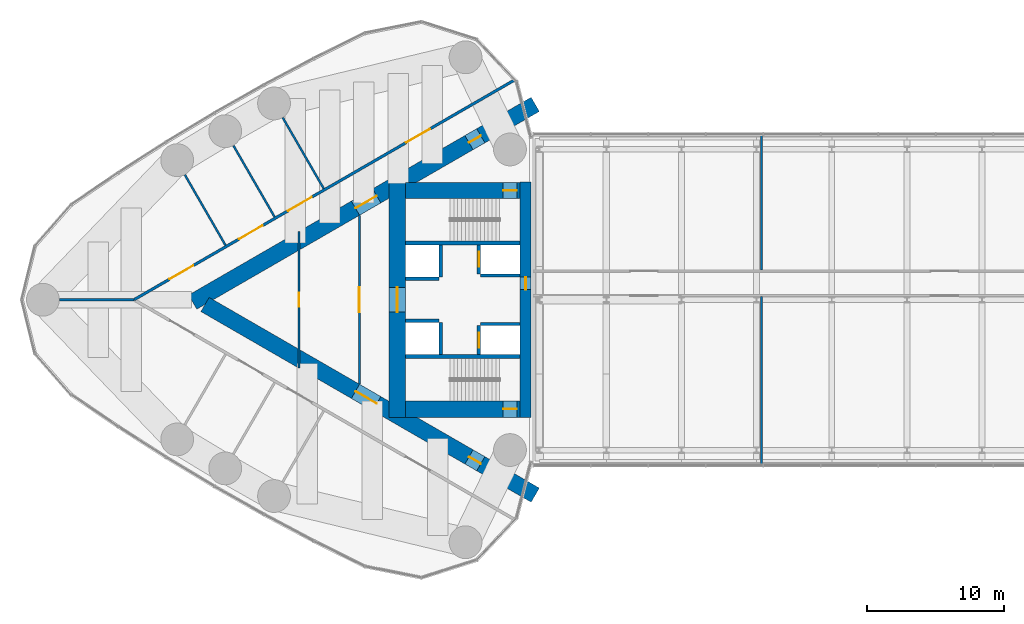
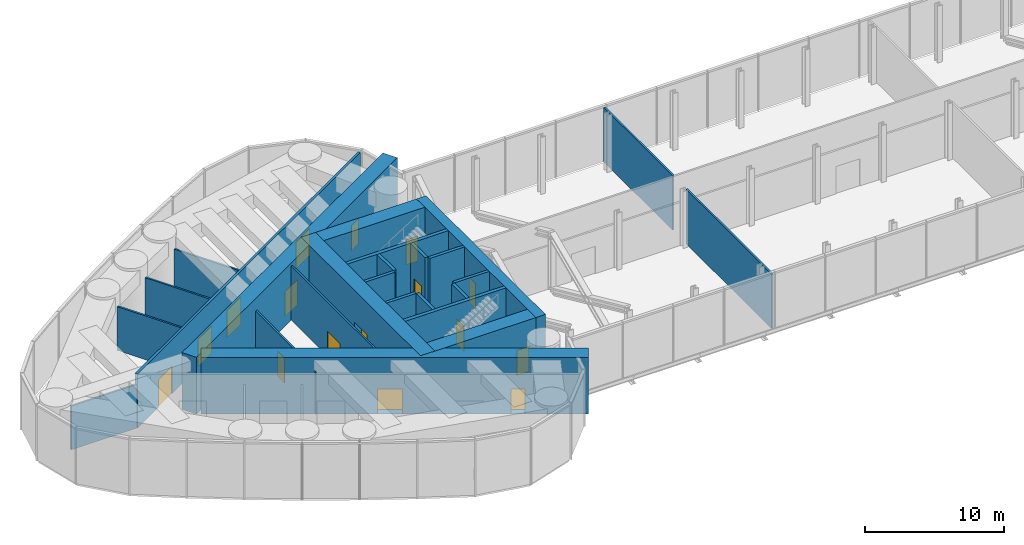
# One storey, part 15 of 19: 25 walls, 16 doors, 16 openings.
"""IFC4 building model written with IfcOpenShell, lengths in metres."""

import ifcopenshell
import ifcopenshell.guid

model = None  # the IFC model being written
_history = None  # IfcOwnerHistory: only IFC2X3 demands one
_inside = {}  # id of a spatial element -> (the spatial element, [elements in it])
_under = {}  # id of a project, library or spatial element -> (it, [spatial elements below it])
_declared = {}  # id of a project -> (the project, [libraries it declares])
_typed = {}  # id of a type object -> (the type object, [elements of that type])
_made_of = {}  # id of a material, layer set ... -> (it, [elements and type objects made of it])


def new_model(schema):
    """Start an empty IFC model of exactly this schema.

    Asked for "IFC4X3", IfcOpenShell would pick the latest addendum, in which some entities
    have other attributes; the version numbers below select the first issue.
    IFC2X3 requires an IfcOwnerHistory on every rooted entity: one is made here for all.
    """
    global model, _history
    if schema == "IFC4X3":
        model = ifcopenshell.file(schema_version=(4, 3, 0, 0))
    else:
        model = ifcopenshell.file(schema=schema)
    _inside.clear()
    _under.clear()
    _declared.clear()
    _typed.clear()
    _made_of.clear()
    _history = None
    if model.schema == "IFC2X3":
        org = make("IfcOrganization", Name="unknown")
        user = make(
            "IfcPersonAndOrganization",
            ThePerson=make("IfcPerson", FamilyName="unknown"),
            TheOrganization=org,
        )
        app = make(
            "IfcApplication",
            ApplicationDeveloper=org,
            Version="unknown",
            ApplicationFullName="unknown",
            ApplicationIdentifier="unknown",
        )
        _history = make(
            "IfcOwnerHistory",
            OwningUser=user,
            OwningApplication=app,
            ChangeAction="ADDED",
            CreationDate=0,
        )
    return model


def make(cls, **values):
    """One entity of the class cls with the attributes given. An attribute that is None is left unset."""
    return model.create_entity(
        cls, **{name: value for name, value in values.items() if value is not None}
    )


def rooted(cls, **values):
    """An entity with a GlobalId (a new one), such as an element, a storey or a relation."""
    return make(cls, GlobalId=ifcopenshell.guid.new(), OwnerHistory=_history, **values)


def si_unit(unit_type, name, prefix=None):
    """IfcSIUnit, for example si_unit("LENGTHUNIT", "METRE", prefix="MILLI")."""
    return make("IfcSIUnit", UnitType=unit_type, Prefix=prefix, Name=name)


def assignment(units):
    """IfcUnitAssignment: the units of a project."""
    return None if units is None else make("IfcUnitAssignment", Units=units)


def point(xyz):
    """IfcCartesianPoint."""
    return None if xyz is None else make("IfcCartesianPoint", Coordinates=xyz)


def direction(xyz):
    """IfcDirection."""
    return None if xyz is None else make("IfcDirection", DirectionRatios=xyz)


def frame(location, z_axis=None, x_axis=None):
    """IfcAxis2Placement3D, a coordinate frame: its origin and axes. An axis left out is left unset."""
    return make(
        "IfcAxis2Placement3D",
        Location=point(location),
        Axis=direction(z_axis),
        RefDirection=direction(x_axis),
    )


def frame_2d(location, x_axis=None):
    """IfcAxis2Placement2D, a coordinate frame in the plane: its origin and x axis."""
    return make(
        "IfcAxis2Placement2D", Location=point(location), RefDirection=direction(x_axis)
    )


def origin():
    """The frame at (0, 0, 0) with its axes left unset."""
    return frame((0.0, 0.0, 0.0))


def place(relative_to, where):
    """IfcLocalPlacement: puts the frame where relative to a parent placement (None: the world)."""
    return make(
        "IfcLocalPlacement", PlacementRelTo=relative_to, RelativePlacement=where
    )


def context(
    kind, dimensions, precision=None, world=None, true_north=None, identifier=None
):
    """IfcGeometricRepresentationContext, for example the 3D "Model" context."""
    return make(
        "IfcGeometricRepresentationContext",
        ContextIdentifier=identifier,
        ContextType=kind,
        CoordinateSpaceDimension=dimensions,
        Precision=precision,
        WorldCoordinateSystem=world,
        TrueNorth=true_north,
    )


def subcontext(parent, identifier, kind, view, scale=None):
    """IfcGeometricRepresentationSubContext, for example "Body" below "Model"."""
    return make(
        "IfcGeometricRepresentationSubContext",
        ContextIdentifier=identifier,
        ContextType=kind,
        ParentContext=parent,
        TargetScale=scale,
        TargetView=view,
    )


def project(units=None, contexts=None):
    """IfcProject with its units and contexts."""
    return rooted(
        "IfcProject",
        Name="project",
        RepresentationContexts=contexts,
        UnitsInContext=assignment(units),
    )


def spatial(cls, under=None, at=None, **own):
    """A site, building, storey or space (cls), placed at a placement, below another one or the project."""
    s = rooted(cls, ObjectPlacement=at, **own)
    if under is not None:
        _under.setdefault(under.id(), (under, []))[1].append(s)
    return s


def profile(cls, at=None, kind="AREA", **sizes):
    """A parametric profile (cls). Its sizes go by their IFC names, for example OverallWidth=200.0."""
    return make(cls, ProfileType=kind, Position=at, **sizes)


def rectangle(**sizes):
    """IfcRectangleProfileDef."""
    return profile("IfcRectangleProfileDef", **sizes)


def extrude(swept, where, along, depth):
    """IfcExtrudedAreaSolid: the profile swept, set in the frame where, extruded along a direction by depth."""
    return make(
        "IfcExtrudedAreaSolid",
        SweptArea=swept,
        Position=where,
        ExtrudedDirection=direction(along),
        Depth=depth,
    )


def shape(context_of_items, identifier, shape_type, items):
    """IfcShapeRepresentation: the items that make up one representation, for example the "Body"."""
    return make(
        "IfcShapeRepresentation",
        ContextOfItems=context_of_items,
        RepresentationIdentifier=identifier,
        RepresentationType=shape_type,
        Items=items,
    )


def material(Name=None, Category=None):
    """IfcMaterial."""
    return make("IfcMaterial", Name=Name, Category=Category)


def layer(
    of_material, thickness, ventilated=None, Name=None, Category=None, Priority=None
):
    """IfcMaterialLayer: one layer of a wall or slab, of a material (None: an air gap)."""
    return make(
        "IfcMaterialLayer",
        Material=of_material,
        LayerThickness=thickness,
        IsVentilated=ventilated,
        Name=Name,
        Category=Category,
        Priority=Priority,
    )


def layer_set(layers, Name=None):
    """IfcMaterialLayerSet."""
    return make("IfcMaterialLayerSet", MaterialLayers=layers, LayerSetName=Name)


def made_of(thing, what):
    """Note that an element or type object is made of a material, layer set ...; save() writes the relation."""
    if what is not None:
        _made_of.setdefault(what.id(), (what, []))[1].append(thing)
    return thing


def type_object(cls, material=None, **own):
    """A type object (cls), such as IfcWallType, which elements share."""
    return made_of(rooted(cls, **own), material)


def element(
    cls,
    number,
    at=None,
    inside=None,
    cuts=None,
    type_object=None,
    material=None,
    context=None,
    identifier="Body",
    shape_type=None,
    held_by="IfcProductDefinitionShape",
    body=None,
    shapes=None,
    **own,
):
    """One element of the class cls, such as IfcWall. Its Tag is "e" and its number.

    at: its placement. inside: the storey or other place that contains it. cuts: it is an
    opening in that element (IfcRelVoidsElement). A single representation is given by context,
    identifier, shape_type and body (its items); several are given by shapes. held_by: the class
    of the entity that holds the representations. save() writes the other relations.
    """
    e = rooted(cls, Tag="e%d" % number, ObjectPlacement=at, **own)
    if body is not None:
        shapes = [shape(context, identifier, shape_type, body)]
    if shapes is not None:
        e.Representation = make(held_by, Representations=shapes)
    if inside is not None:
        _inside.setdefault(inside.id(), (inside, []))[1].append(e)
    if cuts is not None:
        rooted(
            "IfcRelVoidsElement", RelatingBuildingElement=cuts, RelatedOpeningElement=e
        )
    if type_object is not None:
        _typed.setdefault(type_object.id(), (type_object, []))[1].append(e)
    return made_of(e, material)


def fill(opening, filler):
    """IfcRelFillsElement: the door or window that sits in an opening."""
    return rooted(
        "IfcRelFillsElement",
        RelatingOpeningElement=opening,
        RelatedBuildingElement=filler,
    )


def aggregate(whole, parts):
    """IfcRelAggregates: a whole, such as a stair, and the parts it consists of."""
    return rooted("IfcRelAggregates", RelatingObject=whole, RelatedObjects=parts)


def save(model, path):
    """Write the relations noted so far, then the file.

    IfcRelAggregates (storeys below a building ...), IfcRelContainedInSpatialStructure (elements
    in a storey), IfcRelDefinesByType, IfcRelAssociatesMaterial and IfcRelDeclares: one each for
    every whole, place, type object, material and project.
    """
    for whole, parts in _under.values():
        aggregate(whole, parts)
    for where, things in _inside.values():
        rooted(
            "IfcRelContainedInSpatialStructure",
            RelatedElements=things,
            RelatingStructure=where,
        )
    for kind, things in _typed.values():
        rooted("IfcRelDefinesByType", RelatedObjects=things, RelatingType=kind)
    for what, things in _made_of.values():
        rooted("IfcRelAssociatesMaterial", RelatedObjects=things, RelatingMaterial=what)
    for by, libraries in _declared.values():
        rooted("IfcRelDeclares", RelatingContext=by, RelatedDefinitions=libraries)
    model.write(path)


model = new_model("IFC4")

# Units and contexts
model_context = context("Model", 3, precision=1e-05, world=origin(), true_north=direction((0.0, 1.0)))
body_context = subcontext(model_context, "Body", "Model", "MODEL_VIEW")
ifc_project = project(units=[si_unit("LENGTHUNIT", "METRE"), si_unit("AREAUNIT", "SQUARE_METRE"), si_unit("VOLUMEUNIT", "CUBIC_METRE"), si_unit("PLANEANGLEUNIT", "RADIAN"), si_unit("MASSUNIT", "GRAM", prefix="KILO")], contexts=[model_context])

# Site, building, storey
site_placement = place(None, origin())
site = spatial("IfcSite", under=ifc_project, at=site_placement, CompositionType="ELEMENT")
building_placement = place(site_placement, origin())
building = spatial("IfcBuilding", under=site, at=building_placement, Name="Lancet Gate Hotel", CompositionType="ELEMENT")
storey_placement = place(building_placement, frame((0.0, 0.0, 263.300048828125)))
storey = spatial("IfcBuildingStorey", under=building, at=storey_placement, Name="L69", CompositionType="ELEMENT", Elevation=263.300048828125)

# Wall, openings, doors
ifc_material_1 = material(Name="Concrete C70/85", Category="concrete")
ifc_layer_1 = layer(ifc_material_1, 1.199951171875)
ifc_layer_set_1 = layer_set([ifc_layer_1], Name="Buttress wall 1200")
wall_type_1 = type_object("IfcWallType", Name="Buttress wall 1200", PredefinedType="SHEAR", material=ifc_layer_set_1)
wall_1_placement = place(storey_placement, frame((-27.199951171875, 14.300048828125, 0.0), z_axis=(0.0, 0.0, 1.0), x_axis=(-0.866026593062, -0.499997940104, 0.0)))
wall_1 = element("IfcWall", 1, at=wall_1_placement, inside=storey, type_object=wall_type_1, Name="T1 buttress wall S L69", PredefinedType="SHEAR", context=body_context, shape_type="SweptSolid", body=[
    extrude(rectangle(XDim=28.9462890625, YDim=1.199951171875, at=frame_2d((14.47314453125, 0.0))), origin(), (0.0, 0.0, 1.0), 5.0),
])
opening_1_placement = place(wall_1_placement, frame((4.60009765625, 0.0, 0.0)))
opening_1 = element("IfcOpeningElement", 2, at=opening_1_placement, cuts=wall_1, Name="Opening T1-L69-LS", PredefinedType="OPENING", context=body_context, shape_type="SweptSolid", body=[
    extrude(rectangle(XDim=1.0, YDim=2.199951171875, at=frame_2d((0.5, 1.10009765625))), frame((0.0, 0.60986328125, 0.0), z_axis=(0.0, -1.0, 0.0), x_axis=(1.0, 0.0, 0.0)), (0.0, 0.0, 1.0), 1.219970703125),
])
opening_2_placement = place(wall_1_placement, frame((13.39453125, 0.0, 0.0)))
opening_2 = element("IfcOpeningElement", 3, at=opening_2_placement, cuts=wall_1, Name="Opening T1-L69-LHS", PredefinedType="OPENING", context=body_context, shape_type="SweptSolid", body=[
    extrude(rectangle(XDim=1.800048828125, YDim=2.199951171875, at=frame_2d((0.89990234375, 1.10009765625))), frame((0.0, 0.60986328125, 0.0), z_axis=(0.0, -1.0, 0.0), x_axis=(1.0, 0.0, 0.0)), (0.0, 0.0, 1.0), 1.219970703125),
])
ifc_material_2 = material(Name="Timber door set", Category="wood")
door_type_1 = type_object("IfcDoorType", Name="Lobby double door 1800", OperationType="DOUBLE_DOOR_SINGLE_SWING", PredefinedType="DOOR", material=ifc_material_2)
door_1_placement = place(opening_2_placement, origin())
door_1 = element("IfcDoor", 4, at=door_1_placement, inside=storey, type_object=door_type_1, Name="T1-L69-LHS", OperationType="DOUBLE_DOOR_SINGLE_SWING", OverallHeight=2.199951171875, OverallWidth=1.800048828125, PredefinedType="DOOR", context=body_context, shape_type="SweptSolid", body=[
    extrude(rectangle(XDim=1.800048828125, YDim=2.199951171875, at=frame_2d((0.89990234375, 1.10009765625))), frame((0.0, 0.02490234375, 0.0), z_axis=(0.0, -1.0, 0.0), x_axis=(1.0, 0.0, 0.0)), (0.0, 0.0, 1.0), 0.050048828125),
])
fill(opening_2, door_1)
ifc_material_3 = material(Name="Timber door set", Category="wood")
door_type_2 = type_object("IfcDoorType", Name="Stair lobby door 1000", OperationType="SINGLE_SWING_LEFT", PredefinedType="DOOR", material=ifc_material_3)
door_2_placement = place(opening_1_placement, origin())
door_2 = element("IfcDoor", 5, at=door_2_placement, inside=storey, type_object=door_type_2, Name="T1-L69-LS", OperationType="SINGLE_SWING_LEFT", OverallHeight=2.199951171875, OverallWidth=1.0, PredefinedType="DOOR", context=body_context, shape_type="SweptSolid", body=[
    extrude(rectangle(XDim=1.0, YDim=2.199951171875, at=frame_2d((0.5, 1.10009765625))), frame((0.0, 0.02490234375, 0.0), z_axis=(0.0, -1.0, 0.0), x_axis=(1.0, 0.0, 0.0)), (0.0, 0.0, 1.0), 0.050048828125),
])
fill(opening_1, door_2)

wall_2_placement = place(storey_placement, frame((-27.199951171875, -14.300048828125, 0.0), z_axis=(0.0, 0.0, 1.0), x_axis=(-0.866024021859, 0.500002393557, 0.0)))
wall_2 = element("IfcWall", 6, at=wall_2_placement, inside=storey, type_object=wall_type_1, Name="T1 buttress wall N L69", PredefinedType="SHEAR", context=body_context, shape_type="SweptSolid", body=[
    extrude(rectangle(XDim=27.906982421875, YDim=1.199951171875, at=frame_2d((13.95361328125, 0.0))), origin(), (0.0, 0.0, 1.0), 5.0),
])
opening_3_placement = place(wall_2_placement, frame((4.60009765625, 0.0, 0.0)))
opening_3 = element("IfcOpeningElement", 7, at=opening_3_placement, cuts=wall_2, Name="Opening T1-L69-LN", PredefinedType="OPENING", context=body_context, shape_type="SweptSolid", body=[
    extrude(rectangle(XDim=1.0, YDim=2.199951171875, at=frame_2d((0.5, 1.10009765625))), frame((0.0, 0.60986328125, 0.0), z_axis=(0.0, -1.0, 0.0), x_axis=(1.0, 0.0, 0.0)), (0.0, 0.0, 1.0), 1.219970703125),
])
opening_4_placement = place(wall_2_placement, frame((13.39453125, 0.0, 0.0)))
opening_4 = element("IfcOpeningElement", 8, at=opening_4_placement, cuts=wall_2, Name="Opening T1-L69-LHN", PredefinedType="OPENING", context=body_context, shape_type="SweptSolid", body=[
    extrude(rectangle(XDim=1.800048828125, YDim=2.199951171875, at=frame_2d((0.89990234375, 1.10009765625))), frame((0.0, 0.60986328125, 0.0), z_axis=(0.0, -1.0, 0.0), x_axis=(1.0, 0.0, 0.0)), (0.0, 0.0, 1.0), 1.219970703125),
])
door_3_placement = place(opening_4_placement, origin())
door_3 = element("IfcDoor", 9, at=door_3_placement, inside=storey, type_object=door_type_1, Name="T1-L69-LHN", OperationType="DOUBLE_DOOR_SINGLE_SWING", OverallHeight=2.199951171875, OverallWidth=1.800048828125, PredefinedType="DOOR", context=body_context, shape_type="SweptSolid", body=[
    extrude(rectangle(XDim=1.800048828125, YDim=2.199951171875, at=frame_2d((0.89990234375, 1.10009765625))), frame((0.0, 0.02490234375, 0.0), z_axis=(0.0, -1.0, 0.0), x_axis=(1.0, 0.0, 0.0)), (0.0, 0.0, 1.0), 0.050048828125),
])
fill(opening_4, door_3)
door_4_placement = place(opening_3_placement, origin())
door_4 = element("IfcDoor", 10, at=door_4_placement, inside=storey, type_object=door_type_2, Name="T1-L69-LN", OperationType="SINGLE_SWING_LEFT", OverallHeight=2.199951171875, OverallWidth=1.0, PredefinedType="DOOR", context=body_context, shape_type="SweptSolid", body=[
    extrude(rectangle(XDim=1.0, YDim=2.199951171875, at=frame_2d((0.5, 1.10009765625))), frame((0.0, 0.02490234375, 0.0), z_axis=(0.0, -1.0, 0.0), x_axis=(1.0, 0.0, 0.0)), (0.0, 0.0, 1.0), 0.050048828125),
])
fill(opening_3, door_4)

# Wall, opening, door
ifc_material_4 = material(Name="Concrete C70/85", Category="concrete")
ifc_layer_2 = layer(ifc_material_4, 1.199951171875)
ifc_layer_set_2 = layer_set([ifc_layer_2], Name="Core wall 1200")
wall_type_2 = type_object("IfcWallType", Name="Core wall 1200", PredefinedType="SHEAR", material=ifc_layer_set_2)
wall_3_placement = place(storey_placement, frame((-37.300048828125, 8.60009765625, 0.0), z_axis=(0.0, 0.0, 1.0), x_axis=(0.0, -1.0, 0.0)))
wall_3 = element("IfcWall", 11, at=wall_3_placement, inside=storey, type_object=wall_type_2, Name="T1 core wall back L69", PredefinedType="SHEAR", context=body_context, shape_type="SweptSolid", body=[
    extrude(rectangle(XDim=17.2001953125, YDim=1.199951171875, at=frame_2d((8.60009765625, 0.0))), origin(), (0.0, 0.0, 1.0), 5.0),
])
opening_5_placement = place(wall_3_placement, frame((7.699951171875, 0.0, 0.0)))
opening_5 = element("IfcOpeningElement", 12, at=opening_5_placement, cuts=wall_3, Name="Opening T1-L69-LL", PredefinedType="OPENING", context=body_context, shape_type="SweptSolid", body=[
    extrude(rectangle(XDim=1.800048828125, YDim=2.199951171875, at=frame_2d((0.89990234375, 1.10009765625))), frame((0.0, 0.60986328125, 0.0), z_axis=(0.0, -1.0, 0.0), x_axis=(1.0, 0.0, 0.0)), (0.0, 0.0, 1.0), 1.219970703125),
])
door_5_placement = place(opening_5_placement, origin())
door_5 = element("IfcDoor", 13, at=door_5_placement, inside=storey, type_object=door_type_1, Name="T1-L69-LL", OperationType="DOUBLE_DOOR_SINGLE_SWING", OverallHeight=2.199951171875, OverallWidth=1.800048828125, PredefinedType="DOOR", context=body_context, shape_type="SweptSolid", body=[
    extrude(rectangle(XDim=1.800048828125, YDim=2.199951171875, at=frame_2d((0.89990234375, 1.10009765625))), frame((0.0, 0.02490234375, 0.0), z_axis=(0.0, -1.0, 0.0), x_axis=(1.0, 0.0, 0.0)), (0.0, 0.0, 1.0), 0.050048828125),
])
fill(opening_5, door_5)

wall_4_placement = place(storey_placement, frame((-28.300048828125, 8.0, 0.0), z_axis=(0.0, 0.0, 1.0), x_axis=(-1.0, 0.0, 0.0)))
wall_4 = element("IfcWall", 14, at=wall_4_placement, inside=storey, type_object=wall_type_2, Name="T1 core wall side-S L69", PredefinedType="SHEAR", context=body_context, shape_type="SweptSolid", body=[
    extrude(rectangle(XDim=8.39990234375, YDim=1.199951171875, at=frame_2d((4.199951171875, 0.0))), origin(), (0.0, 0.0, 1.0), 5.0),
])
opening_6_placement = place(wall_4_placement, frame((0.25, 0.0, 0.0)))
opening_6 = element("IfcOpeningElement", 15, at=opening_6_placement, cuts=wall_4, Name="Opening T1-L69-ST1", PredefinedType="OPENING", context=body_context, shape_type="SweptSolid", body=[
    extrude(rectangle(XDim=1.0, YDim=2.199951171875, at=frame_2d((0.5, 1.10009765625))), frame((0.0, 0.60986328125, 0.0), z_axis=(0.0, -1.0, 0.0), x_axis=(1.0, 0.0, 0.0)), (0.0, 0.0, 1.0), 1.219970703125),
])
ifc_material_5 = material(Name="Timber door set", Category="wood")
door_type_3 = type_object("IfcDoorType", Name="Stair door 1000", OperationType="SINGLE_SWING_RIGHT", PredefinedType="DOOR", material=ifc_material_5)
door_6_placement = place(opening_6_placement, origin())
door_6 = element("IfcDoor", 16, at=door_6_placement, inside=storey, type_object=door_type_3, Name="T1-L69-ST1", OperationType="SINGLE_SWING_RIGHT", OverallHeight=2.199951171875, OverallWidth=1.0, PredefinedType="DOOR", context=body_context, shape_type="SweptSolid", body=[
    extrude(rectangle(XDim=1.0, YDim=2.199951171875, at=frame_2d((0.5, 1.10009765625))), frame((0.0, 0.02490234375, 0.0), z_axis=(0.0, -1.0, 0.0), x_axis=(1.0, 0.0, 0.0)), (0.0, 0.0, 1.0), 0.050048828125),
])
fill(opening_6, door_6)

wall_5_placement = place(storey_placement, frame((-28.300048828125, -8.0, 0.0), z_axis=(0.0, 0.0, 1.0), x_axis=(-1.0, 0.0, 0.0)))
wall_5 = element("IfcWall", 17, at=wall_5_placement, inside=storey, type_object=wall_type_2, Name="T1 core wall side-N L69", PredefinedType="SHEAR", context=body_context, shape_type="SweptSolid", body=[
    extrude(rectangle(XDim=8.39990234375, YDim=1.199951171875, at=frame_2d((4.199951171875, 0.0))), origin(), (0.0, 0.0, 1.0), 5.0),
])
opening_7_placement = place(wall_5_placement, frame((0.25, 0.0, 0.0)))
opening_7 = element("IfcOpeningElement", 18, at=opening_7_placement, cuts=wall_5, Name="Opening T1-L69-ST2", PredefinedType="OPENING", context=body_context, shape_type="SweptSolid", body=[
    extrude(rectangle(XDim=1.0, YDim=2.199951171875, at=frame_2d((0.5, 1.10009765625))), frame((0.0, 0.60986328125, 0.0), z_axis=(0.0, -1.0, 0.0), x_axis=(1.0, 0.0, 0.0)), (0.0, 0.0, 1.0), 1.219970703125),
])
door_7_placement = place(opening_7_placement, origin())
door_7 = element("IfcDoor", 19, at=door_7_placement, inside=storey, type_object=door_type_3, Name="T1-L69-ST2", OperationType="SINGLE_SWING_RIGHT", OverallHeight=2.199951171875, OverallWidth=1.0, PredefinedType="DOOR", context=body_context, shape_type="SweptSolid", body=[
    extrude(rectangle(XDim=1.0, YDim=2.199951171875, at=frame_2d((0.5, 1.10009765625))), frame((0.0, 0.02490234375, 0.0), z_axis=(0.0, -1.0, 0.0), x_axis=(1.0, 0.0, 0.0)), (0.0, 0.0, 1.0), 0.050048828125),
])
fill(opening_7, door_7)

ifc_material_6 = material(Name="Concrete C70/85", Category="concrete")
ifc_layer_3 = layer(ifc_material_6, 0.800048828125)
ifc_layer_set_3 = layer_set([ifc_layer_3], Name="Core wall 800")
wall_type_3 = type_object("IfcWallType", Name="Core wall 800", PredefinedType="SHEAR", material=ifc_layer_set_3)
wall_6_placement = place(storey_placement, frame((-27.89990234375, 8.60009765625, 0.0), z_axis=(0.0, 0.0, 1.0), x_axis=(0.0, -1.0, 0.0)))
wall_6 = element("IfcWall", 20, at=wall_6_placement, inside=storey, type_object=wall_type_3, Name="T1 core wall front L69", PredefinedType="SHEAR", context=body_context, shape_type="SweptSolid", body=[
    extrude(rectangle(XDim=17.2001953125, YDim=0.800048828125, at=frame_2d((8.60009765625, 0.0))), origin(), (0.0, 0.0, 1.0), 5.0),
])
opening_8_placement = place(wall_6_placement, frame((6.949951171875, 0.0, 0.0)))
opening_8 = element("IfcOpeningElement", 21, at=opening_8_placement, cuts=wall_6, Name="Opening T1-L69-BR", PredefinedType="OPENING", context=body_context, shape_type="SweptSolid", body=[
    extrude(rectangle(XDim=0.89990234375, YDim=2.199951171875, at=frame_2d((0.449951171875, 1.10009765625))), frame((0.0, 0.409912109375, 0.0), z_axis=(0.0, -1.0, 0.0), x_axis=(1.0, 0.0, 0.0)), (0.0, 0.0, 1.0), 0.820068359375),
])
ifc_material_7 = material(Name="Steel door set", Category="steel")
door_type_4 = type_object("IfcDoorType", Name="Bridge fire door 900", OperationType="SINGLE_SWING_LEFT", PredefinedType="DOOR", material=ifc_material_7)
door_8_placement = place(opening_8_placement, origin())
door_8 = element("IfcDoor", 22, at=door_8_placement, inside=storey, type_object=door_type_4, Name="T1-L69-BR", OperationType="SINGLE_SWING_LEFT", OverallHeight=2.199951171875, OverallWidth=0.89990234375, PredefinedType="DOOR", context=body_context, shape_type="SweptSolid", body=[
    extrude(rectangle(XDim=0.89990234375, YDim=2.199951171875, at=frame_2d((0.449951171875, 1.10009765625))), frame((0.0, 0.02490234375, 0.0), z_axis=(0.0, -1.0, 0.0), x_axis=(1.0, 0.0, 0.0)), (0.0, 0.0, 1.0), 0.050048828125),
])
fill(opening_8, door_8)

# Wall, openings, doors
ifc_material_8 = material(Name="Gypsum board partition")
ifc_layer_4 = layer(ifc_material_8, 0.199951171875)
ifc_layer_set_4 = layer_set([ifc_layer_4], Name="Corridor wall 200")
wall_type_4 = type_object("IfcWallType", Name="Corridor wall 200", PredefinedType="PARTITIONING", material=ifc_layer_set_4)
wall_7_placement = place(storey_placement, frame((-28.737060546875, 16.068359375, 0.0), z_axis=(0.0, 0.0, 1.0), x_axis=(-0.866026057212, -0.499998868229, 0.0)))
wall_7 = element("IfcWall", 23, at=wall_7_placement, inside=storey, type_object=wall_type_4, Name="T1 corridor wall 200 L69", PredefinedType="PARTITIONING", context=body_context, shape_type="SweptSolid", body=[
    extrude(rectangle(XDim=32.13671875, YDim=0.199951171875, at=frame_2d((16.068359375, 0.0))), origin(), (0.0, 0.0, 1.0), 4.75),
])
opening_9_placement = place(wall_7_placement, frame((7.1337890625, 0.0, 0.0)))
opening_9 = element("IfcOpeningElement", 24, at=opening_9_placement, cuts=wall_7, Name="Opening T1-L69-K101", PredefinedType="OPENING", context=body_context, shape_type="SweptSolid", body=[
    extrude(rectangle(XDim=2.0, YDim=2.39990234375, at=frame_2d((1.0, 1.199951171875))), frame((0.0, 0.10986328125, 0.0), z_axis=(0.0, -1.0, 0.0), x_axis=(1.0, 0.0, 0.0)), (0.0, 0.0, 1.0), 0.219970703125),
])
opening_10_placement = place(wall_7_placement, frame((17.117431640625, 0.0, 0.0)))
opening_10 = element("IfcOpeningElement", 25, at=opening_10_placement, cuts=wall_7, Name="Opening T1-L69-K102", PredefinedType="OPENING", context=body_context, shape_type="SweptSolid", body=[
    extrude(rectangle(XDim=2.0, YDim=2.39990234375, at=frame_2d((1.0, 1.199951171875))), frame((0.0, 0.10986328125, 0.0), z_axis=(0.0, -1.0, 0.0), x_axis=(1.0, 0.0, 0.0)), (0.0, 0.0, 1.0), 0.219970703125),
])
opening_11_placement = place(wall_7_placement, frame((21.26611328125, 0.0, 0.0)))
opening_11 = element("IfcOpeningElement", 26, at=opening_11_placement, cuts=wall_7, Name="Opening T1-L69-K103", PredefinedType="OPENING", context=body_context, shape_type="SweptSolid", body=[
    extrude(rectangle(XDim=2.0, YDim=2.39990234375, at=frame_2d((1.0, 1.199951171875))), frame((0.0, 0.10986328125, 0.0), z_axis=(0.0, -1.0, 0.0), x_axis=(1.0, 0.0, 0.0)), (0.0, 0.0, 1.0), 0.219970703125),
])
opening_12_placement = place(wall_7_placement, frame((27.126220703125, 0.0, 0.0)))
opening_12 = element("IfcOpeningElement", 27, at=opening_12_placement, cuts=wall_7, Name="Opening T1-L69-K104", PredefinedType="OPENING", context=body_context, shape_type="SweptSolid", body=[
    extrude(rectangle(XDim=2.0, YDim=2.39990234375, at=frame_2d((1.0, 1.199951171875))), frame((0.0, 0.10986328125, 0.0), z_axis=(0.0, -1.0, 0.0), x_axis=(1.0, 0.0, 0.0)), (0.0, 0.0, 1.0), 0.219970703125),
])
ifc_material_9 = material(Name="Timber door set", Category="wood")
door_type_5 = type_object("IfcDoorType", Name="Plant room double door 2000", OperationType="DOUBLE_DOOR_SINGLE_SWING", PredefinedType="DOOR", material=ifc_material_9)
door_9_placement = place(opening_9_placement, origin())
door_9 = element("IfcDoor", 28, at=door_9_placement, inside=storey, type_object=door_type_5, Name="T1-L69-K101", OperationType="DOUBLE_DOOR_SINGLE_SWING", OverallHeight=2.39990234375, OverallWidth=2.0, PredefinedType="DOOR", context=body_context, shape_type="SweptSolid", body=[
    extrude(rectangle(XDim=2.0, YDim=2.39990234375, at=frame_2d((1.0, 1.199951171875))), frame((0.0, 0.02490234375, 0.0), z_axis=(0.0, -1.0, 0.0), x_axis=(1.0, 0.0, 0.0)), (0.0, 0.0, 1.0), 0.050048828125),
])
fill(opening_9, door_9)
door_10_placement = place(opening_10_placement, origin())
door_10 = element("IfcDoor", 29, at=door_10_placement, inside=storey, type_object=door_type_5, Name="T1-L69-K102", OperationType="DOUBLE_DOOR_SINGLE_SWING", OverallHeight=2.39990234375, OverallWidth=2.0, PredefinedType="DOOR", context=body_context, shape_type="SweptSolid", body=[
    extrude(rectangle(XDim=2.0, YDim=2.39990234375, at=frame_2d((1.0, 1.199951171875))), frame((0.0, 0.02490234375, 0.0), z_axis=(0.0, -1.0, 0.0), x_axis=(1.0, 0.0, 0.0)), (0.0, 0.0, 1.0), 0.050048828125),
])
fill(opening_10, door_10)
door_11_placement = place(opening_11_placement, origin())
door_11 = element("IfcDoor", 30, at=door_11_placement, inside=storey, type_object=door_type_5, Name="T1-L69-K103", OperationType="DOUBLE_DOOR_SINGLE_SWING", OverallHeight=2.39990234375, OverallWidth=2.0, PredefinedType="DOOR", context=body_context, shape_type="SweptSolid", body=[
    extrude(rectangle(XDim=2.0, YDim=2.39990234375, at=frame_2d((1.0, 1.199951171875))), frame((0.0, 0.02490234375, 0.0), z_axis=(0.0, -1.0, 0.0), x_axis=(1.0, 0.0, 0.0)), (0.0, 0.0, 1.0), 0.050048828125),
])
fill(opening_11, door_11)
door_12_placement = place(opening_12_placement, origin())
door_12 = element("IfcDoor", 31, at=door_12_placement, inside=storey, type_object=door_type_5, Name="T1-L69-K104", OperationType="DOUBLE_DOOR_SINGLE_SWING", OverallHeight=2.39990234375, OverallWidth=2.0, PredefinedType="DOOR", context=body_context, shape_type="SweptSolid", body=[
    extrude(rectangle(XDim=2.0, YDim=2.39990234375, at=frame_2d((1.0, 1.199951171875))), frame((0.0, 0.02490234375, 0.0), z_axis=(0.0, -1.0, 0.0), x_axis=(1.0, 0.0, 0.0)), (0.0, 0.0, 1.0), 0.050048828125),
])
fill(opening_12, door_12)

# Wall, opening, door
ifc_material_10 = material(Name="Concrete C50/60", Category="concrete")
ifc_layer_5 = layer(ifc_material_10, 0.25)
ifc_layer_set_5 = layer_set([ifc_layer_5], Name="Lift shaft wall 250")
wall_type_5 = type_object("IfcWallType", Name="Lift shaft wall 250", PredefinedType="SHEAR", material=ifc_layer_set_5)
wall_8_placement = place(storey_placement, frame((-31.324951171875, 4.0, 0.0), z_axis=(0.0, 0.0, 1.0), x_axis=(0.0, -1.0, 0.0)))
wall_8 = element("IfcWall", 32, at=wall_8_placement, inside=storey, type_object=wall_type_5, Name="T1 core wall row1-S L69", PredefinedType="SHEAR", context=body_context, shape_type="SweptSolid", body=[
    extrude(rectangle(XDim=2.10009765625, YDim=0.25, at=frame_2d((1.050048828125, 0.0))), origin(), (0.0, 0.0, 1.0), 5.0),
])
opening_13_placement = place(wall_8_placement, frame((0.5, 0.0, 0.0)))
opening_13 = element("IfcOpeningElement", 33, at=opening_13_placement, cuts=wall_8, Name="Opening T1-SL1-L69", PredefinedType="OPENING", context=body_context, shape_type="SweptSolid", body=[
    extrude(rectangle(XDim=1.10009765625, YDim=2.199951171875, at=frame_2d((0.550048828125, 1.10009765625))), frame((0.0, 0.135009765625, 0.0), z_axis=(0.0, -1.0, 0.0), x_axis=(1.0, 0.0, 0.0)), (0.0, 0.0, 1.0), 0.27001953125),
])
ifc_material_11 = material(Name="Timber door set", Category="wood")
door_type_6 = type_object("IfcDoorType", Name="Service lift landing door 1100", OperationType="SLIDING_TO_LEFT", PredefinedType="USERDEFINED", material=ifc_material_11)
door_13_placement = place(opening_13_placement, origin())
door_13 = element("IfcDoor", 34, at=door_13_placement, inside=storey, type_object=door_type_6, Name="T1-SL1-L69", ObjectType="LIFT LANDING DOOR", OperationType="SLIDING_TO_LEFT", OverallHeight=2.199951171875, OverallWidth=1.10009765625, PredefinedType="USERDEFINED", context=body_context, shape_type="SweptSolid", body=[
    extrude(rectangle(XDim=1.10009765625, YDim=2.199951171875, at=frame_2d((0.550048828125, 1.10009765625))), frame((0.0, 0.02490234375, 0.0), z_axis=(0.0, -1.0, 0.0), x_axis=(1.0, 0.0, 0.0)), (0.0, 0.0, 1.0), 0.050048828125),
])
fill(opening_13, door_13)

# Walls
wall_9_placement = place(storey_placement, frame((-34.125, 4.0, 0.0), z_axis=(0.0, 0.0, 1.0), x_axis=(0.0, -1.0, 0.0)))
element("IfcWall", 35, at=wall_9_placement, inside=storey, type_object=wall_type_5, Name="T1 core wall row2-S L69", PredefinedType="SHEAR", context=body_context, shape_type="SweptSolid", body=[
    extrude(rectangle(XDim=2.35009765625, YDim=0.25, at=frame_2d((1.175048828125, 0.0))), origin(), (0.0, 0.0, 1.0), 5.0),
])
wall_10_placement = place(storey_placement, frame((-28.300048828125, 1.77490234375, 0.0), z_axis=(0.0, 0.0, 1.0), x_axis=(-1.0, 0.0, 0.0)))
element("IfcWall", 36, at=wall_10_placement, inside=storey, type_object=wall_type_5, Name="T1 core wall pass1-S L69", PredefinedType="SHEAR", context=body_context, shape_type="SweptSolid", body=[
    extrude(rectangle(XDim=2.89990234375, YDim=0.25, at=frame_2d((1.449951171875, 0.0))), origin(), (0.0, 0.0, 1.0), 5.0),
])
wall_11_placement = place(storey_placement, frame((-34.25, 1.52490234375, 0.0), z_axis=(0.0, 0.0, 1.0), x_axis=(-1.0, 0.0, 0.0)))
element("IfcWall", 37, at=wall_11_placement, inside=storey, type_object=wall_type_5, Name="T1 core wall pass2-S L69", PredefinedType="SHEAR", context=body_context, shape_type="SweptSolid", body=[
    extrude(rectangle(XDim=2.449951171875, YDim=0.25, at=frame_2d((1.22509765625, 0.0))), origin(), (0.0, 0.0, 1.0), 5.0),
])

# Wall, opening, door
wall_12_placement = place(storey_placement, frame((-31.324951171875, -1.89990234375, 0.0), z_axis=(0.0, 0.0, 1.0), x_axis=(0.0, -1.0, 0.0)))
wall_12 = element("IfcWall", 38, at=wall_12_placement, inside=storey, type_object=wall_type_5, Name="T1 core wall row1-N L69", PredefinedType="SHEAR", context=body_context, shape_type="SweptSolid", body=[
    extrude(rectangle(XDim=2.10009765625, YDim=0.25, at=frame_2d((1.050048828125, 0.0))), origin(), (0.0, 0.0, 1.0), 5.0),
])
opening_14_placement = place(wall_12_placement, frame((0.5, 0.0, 0.0)))
opening_14 = element("IfcOpeningElement", 39, at=opening_14_placement, cuts=wall_12, Name="Opening T1-FL2-L69", PredefinedType="OPENING", context=body_context, shape_type="SweptSolid", body=[
    extrude(rectangle(XDim=1.10009765625, YDim=2.199951171875, at=frame_2d((0.550048828125, 1.10009765625))), frame((0.0, 0.135009765625, 0.0), z_axis=(0.0, -1.0, 0.0), x_axis=(1.0, 0.0, 0.0)), (0.0, 0.0, 1.0), 0.27001953125),
])
ifc_material_12 = material(Name="Steel door set", Category="steel")
door_type_7 = type_object("IfcDoorType", Name="Firefighting lift landing door 1100", OperationType="SLIDING_TO_LEFT", PredefinedType="USERDEFINED", material=ifc_material_12)
door_14_placement = place(opening_14_placement, origin())
door_14 = element("IfcDoor", 40, at=door_14_placement, inside=storey, type_object=door_type_7, Name="T1-FL2-L69", ObjectType="LIFT LANDING DOOR", OperationType="SLIDING_TO_LEFT", OverallHeight=2.199951171875, OverallWidth=1.10009765625, PredefinedType="USERDEFINED", context=body_context, shape_type="SweptSolid", body=[
    extrude(rectangle(XDim=1.10009765625, YDim=2.199951171875, at=frame_2d((0.550048828125, 1.10009765625))), frame((0.0, 0.02490234375, 0.0), z_axis=(0.0, -1.0, 0.0), x_axis=(1.0, 0.0, 0.0)), (0.0, 0.0, 1.0), 0.050048828125),
])
fill(opening_14, door_14)

# Walls
wall_13_placement = place(storey_placement, frame((-34.125, -1.64990234375, 0.0), z_axis=(0.0, 0.0, 1.0), x_axis=(0.0, -1.0, 0.0)))
element("IfcWall", 41, at=wall_13_placement, inside=storey, type_object=wall_type_5, Name="T1 core wall row2-N L69", PredefinedType="SHEAR", context=body_context, shape_type="SweptSolid", body=[
    extrude(rectangle(XDim=2.35009765625, YDim=0.25, at=frame_2d((1.175048828125, 0.0))), origin(), (0.0, 0.0, 1.0), 5.0),
])
wall_14_placement = place(storey_placement, frame((-28.300048828125, -1.77490234375, 0.0), z_axis=(0.0, 0.0, 1.0), x_axis=(-1.0, 0.0, 0.0)))
element("IfcWall", 42, at=wall_14_placement, inside=storey, type_object=wall_type_5, Name="T1 core wall pass1-N L69", PredefinedType="SHEAR", context=body_context, shape_type="SweptSolid", body=[
    extrude(rectangle(XDim=2.89990234375, YDim=0.25, at=frame_2d((1.449951171875, 0.0))), origin(), (0.0, 0.0, 1.0), 5.0),
])
wall_15_placement = place(storey_placement, frame((-34.25, -1.52490234375, 0.0), z_axis=(0.0, 0.0, 1.0), x_axis=(-1.0, 0.0, 0.0)))
element("IfcWall", 43, at=wall_15_placement, inside=storey, type_object=wall_type_5, Name="T1 core wall pass2-N L69", PredefinedType="SHEAR", context=body_context, shape_type="SweptSolid", body=[
    extrude(rectangle(XDim=2.449951171875, YDim=0.25, at=frame_2d((1.22509765625, 0.0))), origin(), (0.0, 0.0, 1.0), 5.0),
])
ifc_material_13 = material(Name="Gypsum board partition")
ifc_layer_6 = layer(ifc_material_13, 0.14990234375)
ifc_layer_set_6 = layer_set([ifc_layer_6], Name="Party wall 150")
wall_type_6 = type_object("IfcWallType", Name="Party wall 150", PredefinedType="PARTITIONING", material=ifc_layer_set_6)
wall_16_placement = place(storey_placement, frame((-42.680419921875, 8.133544921875, 0.0), z_axis=(0.0, 0.0, 1.0), x_axis=(-0.499984479505, 0.866034364361, 0.0)))
element("IfcWall", 44, at=wall_16_placement, inside=storey, type_object=wall_type_6, Name="T1 party wall 150 L69", PredefinedType="PARTITIONING", context=body_context, shape_type="SweptSolid", body=[
    extrude(rectangle(XDim=5.995361328125, YDim=0.14990234375, at=frame_2d((2.99755859375, 0.0))), origin(), (0.0, 0.0, 1.0), 3.849853515625),
])
wall_17_placement = place(storey_placement, frame((-46.273681640625, 6.05908203125, 0.0), z_axis=(0.0, 0.0, 1.0), x_axis=(-0.500020471368, 0.866013584312, 0.0)))
element("IfcWall", 45, at=wall_17_placement, inside=storey, type_object=wall_type_6, Name="T1 party wall 150 L69", PredefinedType="PARTITIONING", context=body_context, shape_type="SweptSolid", body=[
    extrude(rectangle(XDim=6.027587890625, YDim=0.14990234375, at=frame_2d((3.013671875, 0.0))), origin(), (0.0, 0.0, 1.0), 3.849853515625),
])
wall_18_placement = place(storey_placement, frame((-49.866455078125, 3.98486328125, 0.0), z_axis=(0.0, 0.0, 1.0), x_axis=(-0.500000694566, 0.866025002776, 0.0)))
element("IfcWall", 46, at=wall_18_placement, inside=storey, type_object=wall_type_6, Name="T1 party wall 150 L69", PredefinedType="PARTITIONING", context=body_context, shape_type="SweptSolid", body=[
    extrude(rectangle(XDim=5.94970703125, YDim=0.14990234375, at=frame_2d((2.974853515625, 0.0))), origin(), (0.0, 0.0, 1.0), 3.849853515625),
])
wall_19_placement = place(storey_placement, frame((-56.568359375, 0.0, 0.0), z_axis=(0.0, 0.0, 1.0), x_axis=(-1.0, 0.0, 0.0)))
element("IfcWall", 47, at=wall_19_placement, inside=storey, type_object=wall_type_6, Name="T1 party wall 150 L69", PredefinedType="PARTITIONING", context=body_context, shape_type="SweptSolid", body=[
    extrude(rectangle(XDim=5.446044921875, YDim=0.14990234375, at=frame_2d((2.72314453125, 0.0))), origin(), (0.0, 0.0, 1.0), 3.849853515625),
])

# Wall, opening, door
ifc_material_14 = material(Name="Gypsum board partition")
ifc_layer_7 = layer(ifc_material_14, 0.14990234375)
ifc_layer_set_7 = layer_set([ifc_layer_7], Name="Service room wall 150")
wall_type_7 = type_object("IfcWallType", Name="Service room wall 150", PredefinedType="PARTITIONING", material=ifc_layer_set_7)
wall_20_placement = place(storey_placement, frame((-40.074951171875, 6.173828125, 0.0), z_axis=(0.0, 0.0, 1.0), x_axis=(0.0, -1.0, 0.0)))
wall_20 = element("IfcWall", 48, at=wall_20_placement, inside=storey, type_object=wall_type_7, Name="T1 service room wall 150 L69", PredefinedType="PARTITIONING", context=body_context, shape_type="SweptSolid", body=[
    extrude(rectangle(XDim=12.34765625, YDim=0.14990234375, at=frame_2d((6.173828125, 0.0))), origin(), (0.0, 0.0, 1.0), 4.75),
])
opening_15_placement = place(wall_20_placement, frame((5.273681640625, 0.0, 0.0)))
opening_15 = element("IfcOpeningElement", 49, at=opening_15_placement, cuts=wall_20, Name="Opening T1-L69-LH", PredefinedType="OPENING", context=body_context, shape_type="SweptSolid", body=[
    extrude(rectangle(XDim=1.800048828125, YDim=2.199951171875, at=frame_2d((0.89990234375, 1.10009765625))), frame((0.0, 0.0849609375, 0.0), z_axis=(0.0, -1.0, 0.0), x_axis=(1.0, 0.0, 0.0)), (0.0, 0.0, 1.0), 0.169921875),
])
door_15_placement = place(opening_15_placement, origin())
door_15 = element("IfcDoor", 50, at=door_15_placement, inside=storey, type_object=door_type_1, Name="T1-L69-LH", OperationType="DOUBLE_DOOR_SINGLE_SWING", OverallHeight=2.199951171875, OverallWidth=1.800048828125, PredefinedType="DOOR", context=body_context, shape_type="SweptSolid", body=[
    extrude(rectangle(XDim=1.800048828125, YDim=2.199951171875, at=frame_2d((0.89990234375, 1.10009765625))), frame((0.0, 0.02490234375, 0.0), z_axis=(0.0, -1.0, 0.0), x_axis=(1.0, 0.0, 0.0)), (0.0, 0.0, 1.0), 0.050048828125),
])
fill(opening_15, door_15)

wall_21_placement = place(storey_placement, frame((-44.5, 5.004638671875, 0.0), z_axis=(0.0, 0.0, 1.0), x_axis=(0.0, -1.0, 0.0)))
wall_21 = element("IfcWall", 51, at=wall_21_placement, inside=storey, type_object=wall_type_7, Name="T1 service room wall 150 L69", PredefinedType="PARTITIONING", context=body_context, shape_type="SweptSolid", body=[
    extrude(rectangle(XDim=10.00927734375, YDim=0.14990234375, at=frame_2d((5.004638671875, 0.0))), origin(), (0.0, 0.0, 1.0), 3.89990234375),
])
opening_16_placement = place(wall_21_placement, frame((4.504638671875, 0.0, 0.0)))
opening_16 = element("IfcOpeningElement", 52, at=opening_16_placement, cuts=wall_21, Name="Opening T1-L69-SV", PredefinedType="OPENING", context=body_context, shape_type="SweptSolid", body=[
    extrude(rectangle(XDim=1.0, YDim=2.199951171875, at=frame_2d((0.5, 1.10009765625))), frame((0.0, 0.0849609375, 0.0), z_axis=(0.0, -1.0, 0.0), x_axis=(1.0, 0.0, 0.0)), (0.0, 0.0, 1.0), 0.169921875),
])
ifc_material_15 = material(Name="Timber door set", Category="wood")
door_type_8 = type_object("IfcDoorType", Name="Service door 1000", OperationType="SINGLE_SWING_LEFT", PredefinedType="DOOR", material=ifc_material_15)
door_16_placement = place(opening_16_placement, origin())
door_16 = element("IfcDoor", 53, at=door_16_placement, inside=storey, type_object=door_type_8, Name="T1-L69-SV", OperationType="SINGLE_SWING_LEFT", OverallHeight=2.199951171875, OverallWidth=1.0, PredefinedType="DOOR", context=body_context, shape_type="SweptSolid", body=[
    extrude(rectangle(XDim=1.0, YDim=2.199951171875, at=frame_2d((0.5, 1.10009765625))), frame((0.0, 0.02490234375, 0.0), z_axis=(0.0, -1.0, 0.0), x_axis=(1.0, 0.0, 0.0)), (0.0, 0.0, 1.0), 0.050048828125),
])
fill(opening_16, door_16)

# Walls
wall_22_placement = place(storey_placement, frame((-10.64990234375, -12.070068359375, 0.0), z_axis=(0.0, 0.0, 1.0), x_axis=(0.0, 1.0, 0.0)))
element("IfcWall", 54, at=wall_22_placement, inside=storey, type_object=wall_type_7, Name="Bridge block service room wall 150 L69", PredefinedType="PARTITIONING", context=body_context, shape_type="SweptSolid", body=[
    extrude(rectangle(XDim=12.295166015625, YDim=0.14990234375, at=frame_2d((6.1474609375, 0.0))), origin(), (0.0, 0.0, 1.0), 4.800048828125),
])
wall_23_placement = place(storey_placement, frame((-10.64990234375, 2.175048828125, 0.0), z_axis=(0.0, 0.0, 1.0), x_axis=(0.0, 1.0, 0.0)))
element("IfcWall", 55, at=wall_23_placement, inside=storey, type_object=wall_type_7, Name="Bridge block service room wall 150 L69", PredefinedType="PARTITIONING", context=body_context, shape_type="SweptSolid", body=[
    extrude(rectangle(XDim=9.89501953125, YDim=0.14990234375, at=frame_2d((4.947509765625, 0.0))), origin(), (0.0, 0.0, 1.0), 4.800048828125),
])
ifc_material_16 = material(Name="Concrete C50/60", Category="concrete")
ifc_layer_8 = layer(ifc_material_16, 0.300048828125)
ifc_layer_set_8 = layer_set([ifc_layer_8], Name="Stair enclosure wall 300")
wall_type_8 = type_object("IfcWallType", Name="Stair enclosure wall 300", PredefinedType="SHEAR", material=ifc_layer_set_8)
for number, where, z_axis, x_axis, name in (
    (56, (-28.300048828125, 4.14990234375, 0.0), (0.0, 0.0, 1.0), (-1.0, 0.0, 0.0), "T1 core wall stair-S L69"),
    (57, (-28.300048828125, -4.14990234375, 0.0), (0.0, 0.0, 1.0), (-1.0, 0.0, 0.0), "T1 core wall stair-N L69"),
):
    element("IfcWall", number, at=place(storey_placement, frame(where, z_axis=z_axis, x_axis=x_axis)), inside=storey, type_object=wall_type_8, Name=name, PredefinedType="SHEAR", context=body_context, shape_type="SweptSolid", body=[
        extrude(rectangle(XDim=8.39990234375, YDim=0.300048828125, at=frame_2d((4.199951171875, 0.0))), origin(), (0.0, 0.0, 1.0), 5.0),
    ])

save(model, "model.ifc")
